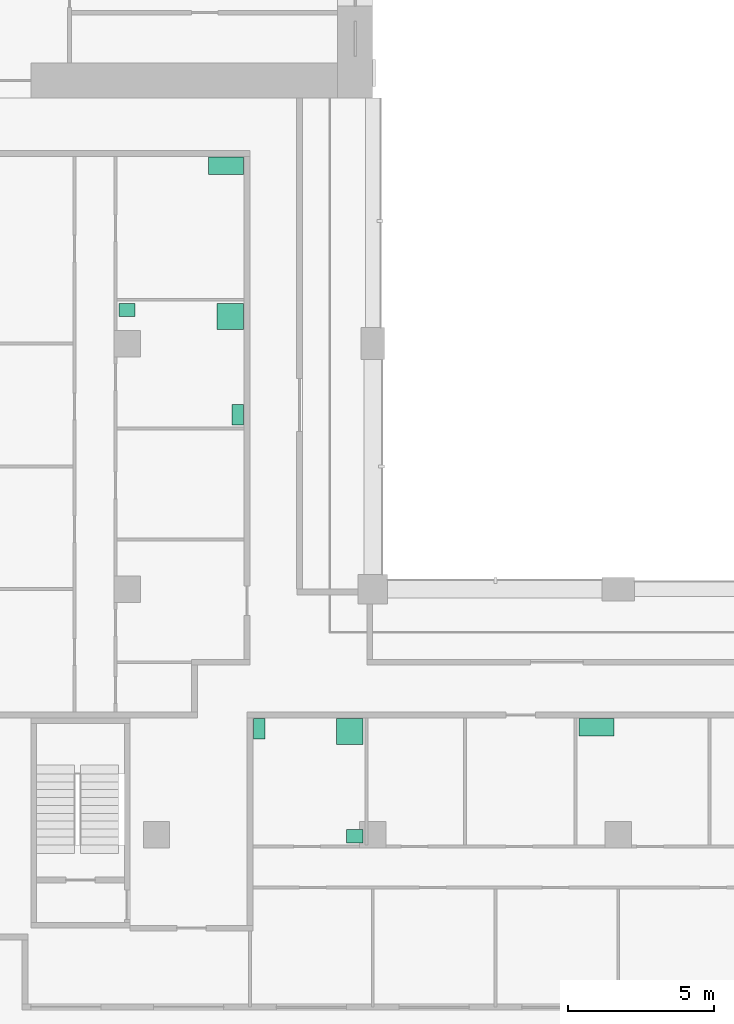
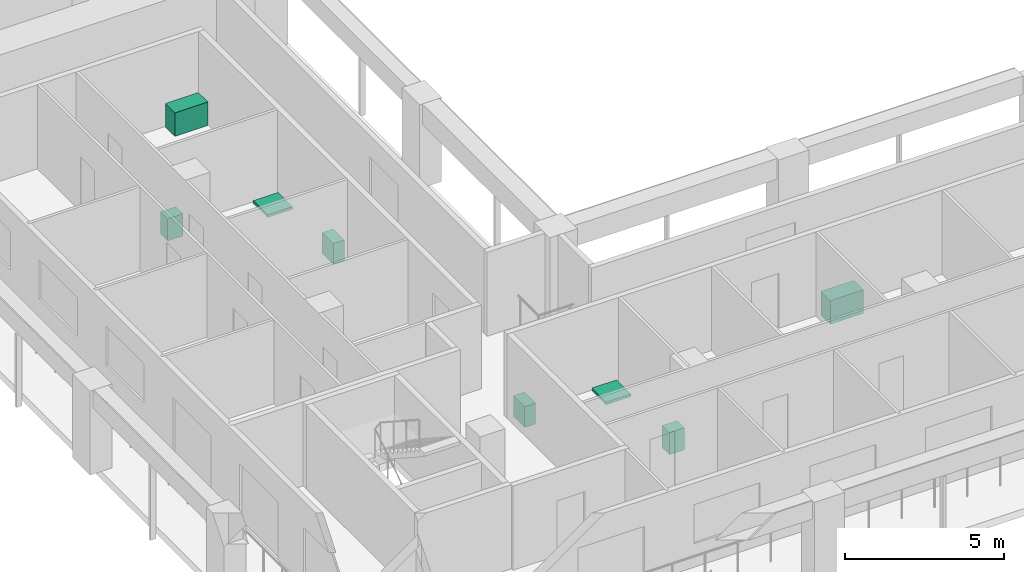
# One storey, part 9 of 9: 8 sanitary terminals.
"""IFC4 building model written with IfcOpenShell, lengths in metres."""

from ifc_helpers import new_model, si_unit, direction, frame, origin, origin_2d, place, context, subcontext, project, spatial, rectangle, extrude, material, element, save


model = new_model("IFC4")

# Units and contexts
model_context = context("Model", 3, precision=1e-05, world=origin(), true_north=direction((0.0, 1.0)))
body_context = subcontext(model_context, "Body", "Model", "MODEL_VIEW")
ifc_project = project(units=[si_unit("LENGTHUNIT", "METRE"), si_unit("AREAUNIT", "SQUARE_METRE"), si_unit("VOLUMEUNIT", "CUBIC_METRE"), si_unit("PLANEANGLEUNIT", "RADIAN"), si_unit("MASSUNIT", "GRAM", prefix="KILO")], contexts=[model_context])

# Site, building, storey
site_placement = place(None, origin())
site = spatial("IfcSite", under=ifc_project, at=site_placement, CompositionType="ELEMENT")
building_placement = place(site_placement, origin())
building = spatial("IfcBuilding", under=site, at=building_placement, Name="Vermilion Gate Residences", CompositionType="ELEMENT")
storey_placement = place(building_placement, frame((0.0, 0.0, 249.199951171875)))
storey = spatial("IfcBuildingStorey", under=building, at=storey_placement, Name="L65", CompositionType="ELEMENT", Elevation=249.199951171875)

# Sanitary terminals
ifc_material_1 = material(Name="Vitreous china")
sanitary_terminal_1_placement = place(storey_placement, frame((24.409912109375, 20.330078125, 0.0), z_axis=(0.0, 0.0, 1.0), x_axis=(1.0, 0.0, 0.0)))
element("IfcSanitaryTerminal", 1, at=sanitary_terminal_1_placement, inside=storey, material=ifc_material_1, Name="Shower tray", PredefinedType="SHOWER", context=body_context, shape_type="SweptSolid", body=[
    extrude(rectangle(XDim=0.89990234375, YDim=0.89990234375, at=origin_2d()), origin(), (0.0, 0.0, 1.0), 0.10009765625),
])
sanitary_terminal_2_placement = place(storey_placement, frame((21.320068359375, 20.429931640625, 0.0), z_axis=(0.0, 0.0, 1.0), x_axis=(1.0, 0.0, 0.0)))
element("IfcSanitaryTerminal", 2, at=sanitary_terminal_2_placement, inside=storey, material=ifc_material_1, Name="Toilet", PredefinedType="TOILETPAN", context=body_context, shape_type="SweptSolid", body=[
    extrude(rectangle(XDim=0.39990234375, YDim=0.699951171875, at=origin_2d()), origin(), (0.0, 0.0, 1.0), 0.800048828125),
])
sanitary_terminal_3_placement = place(storey_placement, frame((24.5849609375, 16.7451171875, 0.0), z_axis=(0.0, 0.0, 1.0), x_axis=(1.0, 0.0, 0.0)))
element("IfcSanitaryTerminal", 3, at=sanitary_terminal_3_placement, inside=storey, material=ifc_material_1, Name="Wash basin", PredefinedType="WASHHANDBASIN", context=body_context, shape_type="SweptSolid", body=[
    extrude(rectangle(XDim=0.550048828125, YDim=0.449951171875, at=origin_2d()), origin(), (0.0, 0.0, 1.0), 0.85009765625),
])
ifc_material_2 = material(Name="Stainless steel", Category="steel")
sanitary_terminal_4_placement = place(storey_placement, frame((32.860107421875, 20.47998046875, 0.0), z_axis=(0.0, 0.0, 1.0), x_axis=(1.0, 0.0, 0.0)))
element("IfcSanitaryTerminal", 4, at=sanitary_terminal_4_placement, inside=storey, material=ifc_material_2, Name="Kitchen sink", PredefinedType="SINK", context=body_context, shape_type="SweptSolid", body=[
    extrude(rectangle(XDim=1.199951171875, YDim=0.60009765625, at=origin_2d()), origin(), (0.0, 0.0, 1.0), 0.89990234375),
])
sanitary_terminal_5_placement = place(storey_placement, frame((20.330078125, 34.530029296875, 0.0), z_axis=(0.0, 0.0, 1.0), x_axis=(1.0, 0.0, 0.0)))
element("IfcSanitaryTerminal", 5, at=sanitary_terminal_5_placement, inside=storey, material=ifc_material_1, Name="Shower tray", PredefinedType="SHOWER", context=body_context, shape_type="SweptSolid", body=[
    extrude(rectangle(XDim=0.89990234375, YDim=0.89990234375, at=origin_2d()), origin(), (0.0, 0.0, 1.0), 0.10009765625),
])
sanitary_terminal_6_placement = place(storey_placement, frame((20.580078125, 31.169921875, 0.0), z_axis=(0.0, 0.0, 1.0), x_axis=(1.0, 0.0, 0.0)))
element("IfcSanitaryTerminal", 6, at=sanitary_terminal_6_placement, inside=storey, material=ifc_material_1, Name="Toilet", PredefinedType="TOILETPAN", context=body_context, shape_type="SweptSolid", body=[
    extrude(rectangle(XDim=0.39990234375, YDim=0.699951171875, at=origin_2d()), origin(), (0.0, 0.0, 1.0), 0.800048828125),
])
sanitary_terminal_7_placement = place(storey_placement, frame((16.794921875, 34.7548828125, 0.0), z_axis=(0.0, 0.0, 1.0), x_axis=(1.0, 0.0, 0.0)))
element("IfcSanitaryTerminal", 7, at=sanitary_terminal_7_placement, inside=storey, material=ifc_material_1, Name="Wash basin", PredefinedType="WASHHANDBASIN", context=body_context, shape_type="SweptSolid", body=[
    extrude(rectangle(XDim=0.550048828125, YDim=0.449951171875, at=origin_2d()), origin(), (0.0, 0.0, 1.0), 0.85009765625),
])
sanitary_terminal_8_placement = place(storey_placement, frame((20.179931640625, 39.679931640625, 0.0), z_axis=(0.0, 0.0, 1.0), x_axis=(1.0, 0.0, 0.0)))
element("IfcSanitaryTerminal", 8, at=sanitary_terminal_8_placement, inside=storey, material=ifc_material_2, Name="Kitchen sink", PredefinedType="SINK", context=body_context, shape_type="SweptSolid", body=[
    extrude(rectangle(XDim=1.199951171875, YDim=0.60009765625, at=origin_2d()), origin(), (0.0, 0.0, 1.0), 0.89990234375),
])

save(model, "model.ifc")
